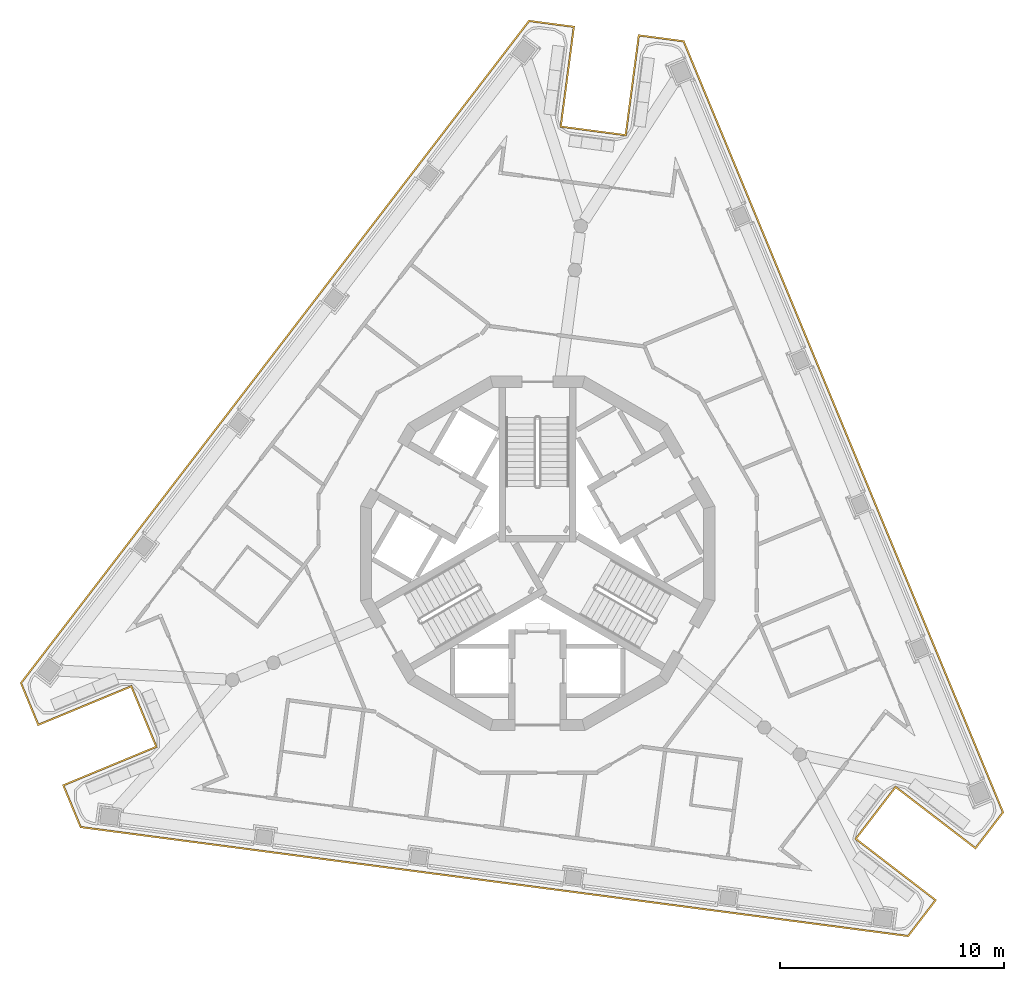
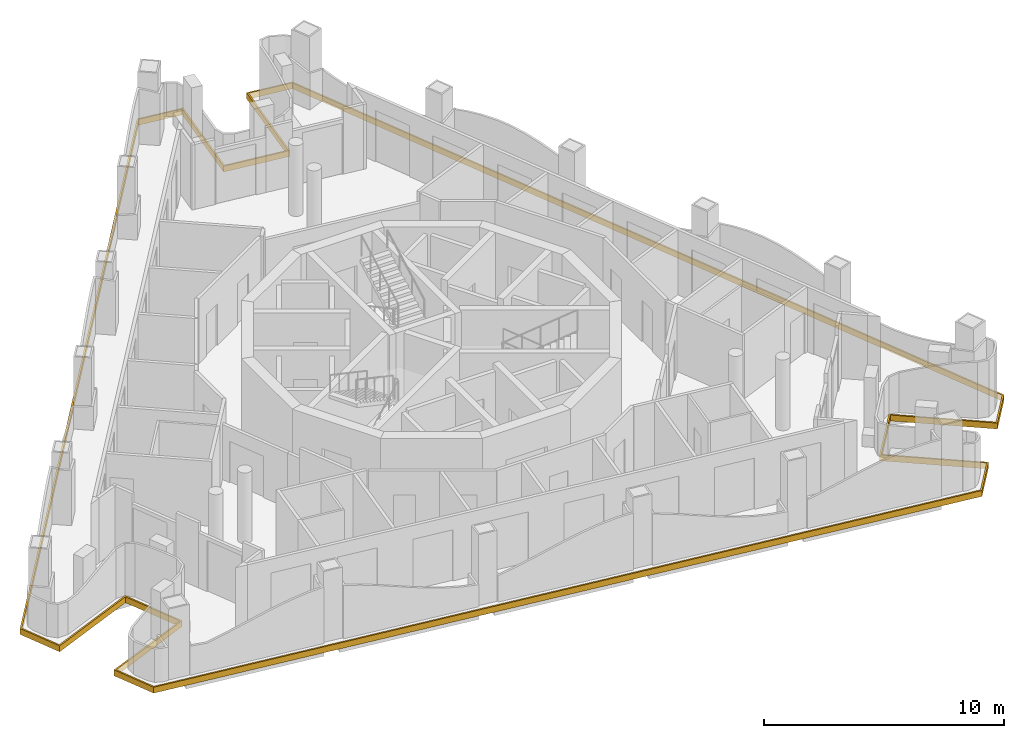
# One storey, part 9 of 12: 1 covering.
"""IFC4 building model written with IfcOpenShell, lengths in metres."""

from ifc_helpers import new_model, si_unit, direction, frame, origin, place, context, subcontext, project, spatial, polyline, outline, extrude, material, layer, layer_set, type_object, element, save


model = new_model("IFC4")

# Units and contexts
model_context = context("Model", 3, precision=1e-05, world=origin(), true_north=direction((0.0, 1.0)))
body_context = subcontext(model_context, "Body", "Model", "MODEL_VIEW")
ifc_project = project(units=[si_unit("LENGTHUNIT", "METRE"), si_unit("AREAUNIT", "SQUARE_METRE"), si_unit("VOLUMEUNIT", "CUBIC_METRE"), si_unit("PLANEANGLEUNIT", "RADIAN"), si_unit("MASSUNIT", "GRAM", prefix="KILO")], contexts=[model_context])

# Site, building, storey
site_placement = place(None, origin())
site = spatial("IfcSite", under=ifc_project, at=site_placement, CompositionType="ELEMENT")
building_placement = place(site_placement, origin())
building = spatial("IfcBuilding", under=site, at=building_placement, Name="Trine Commons Tower", CompositionType="ELEMENT")
storey_placement = place(building_placement, frame((0.0, 0.0, 275.39990234375)))
storey = spatial("IfcBuildingStorey", under=building, at=storey_placement, Name="L72", CompositionType="ELEMENT", Elevation=275.39990234375)

# Covering
ifc_material = material(Name="Limestone, honed", Category="masonry")
ifc_layer = layer(ifc_material, 0.074951171875)
ifc_layer_set = layer_set([ifc_layer], Name="Limestone, honed")
covering_type = type_object("IfcCoveringType", Name="Limestone spandrel panel 75", PredefinedType="CLADDING", material=ifc_layer_set)
covering_placement = place(storey_placement, frame((0.0, 0.0, -0.2998046875)))
element("IfcCovering", 1, at=covering_placement, inside=storey, type_object=covering_type, Name="Limestone spandrel panel 8-01", PredefinedType="CLADDING", context=body_context, shape_type="SweptSolid", body=[
    extrude(outline(polyline([(96.011962890625, 52.009765625), (99.58203125, 49.2705078125), (100.849609375, 50.92236328125), (86.556396484375, 85.429443359375), (84.49169921875, 85.701416015625), (83.904296875, 81.23974609375), (81.078857421875, 81.61181640625), (81.666259765625, 86.0732421875), (79.6015625, 86.34521484375), (56.8642578125, 56.713134765625), (57.6611328125, 54.789306640625), (61.818603515625, 56.511474609375), (62.9091796875, 53.87841796875), (58.751708984375, 52.15625), (59.548583984375, 50.232421875), (96.579345703125, 45.357177734375), (97.846923828125, 47.00927734375), (94.277099609375, 49.748779296875), (96.011962890625, 52.009765625)]), holes=[polyline([(84.556396484375, 85.6171875), (86.503662109375, 85.36083984375), (100.763916015625, 50.933837890625), (99.568115234375, 49.37548828125), (95.998046875, 52.114990234375), (94.171875, 49.73486328125), (97.741943359375, 46.99560546875), (96.546142578125, 45.437255859375), (59.601318359375, 50.301025390625), (58.849853515625, 52.11572265625), (63.007080078125, 53.837890625), (61.859130859375, 56.609375), (57.70166015625, 54.88720703125), (56.9501953125, 56.701904296875), (79.634765625, 86.26513671875), (81.58203125, 86.0087890625), (80.99462890625, 81.54736328125), (83.968994140625, 81.15576171875), (84.556396484375, 85.6171875)])]), origin(), (0.0, 0.0, 1.0), 0.2998046875),
])

save(model, "model.ifc")
